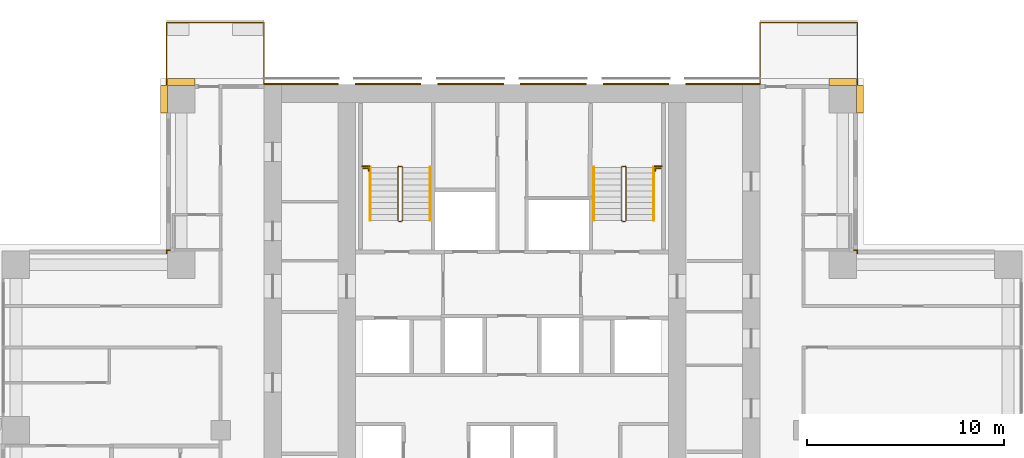
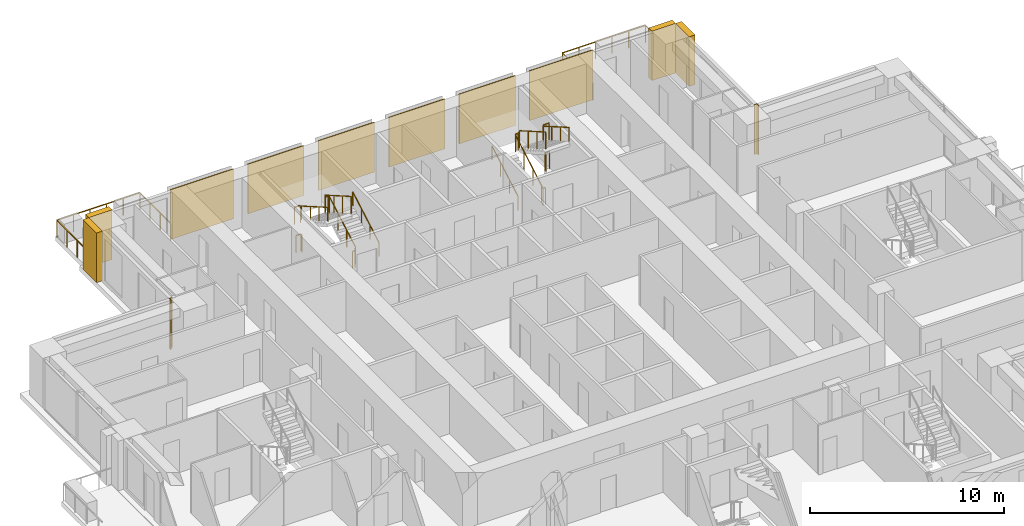
# One storey, part 17 of 17: 12 coverings, 12 railings.
"""IFC4 building model written with IfcOpenShell, lengths in metres."""

from ifc_helpers import new_model, si_unit, direction, frame, origin, origin_2d, place, context, subcontext, project, spatial, polyline, rectangle, outline, extrude, material, type_object, element, save


model = new_model("IFC4")

# Units and contexts
model_context = context("Model", 3, precision=1e-05, world=origin(), true_north=direction((0.0, 1.0)))
body_context = subcontext(model_context, "Body", "Model", "MODEL_VIEW")
ifc_project = project(units=[si_unit("LENGTHUNIT", "METRE"), si_unit("AREAUNIT", "SQUARE_METRE"), si_unit("VOLUMEUNIT", "CUBIC_METRE"), si_unit("PLANEANGLEUNIT", "RADIAN"), si_unit("MASSUNIT", "GRAM", prefix="KILO")], contexts=[model_context])

# Site, building, storey
site_placement = place(None, origin())
site = spatial("IfcSite", under=ifc_project, at=site_placement, CompositionType="ELEMENT")
building_placement = place(site_placement, origin())
building = spatial("IfcBuilding", under=site, at=building_placement, Name="Vermilion Ogive Tower", CompositionType="ELEMENT")
storey_placement = place(building_placement, frame((0.0, 0.0, 51.75)))
storey = spatial("IfcBuildingStorey", under=building, at=storey_placement, Name="L11", CompositionType="ELEMENT", Elevation=51.75)

# Railings
ifc_material_1 = material(Name="Stainless steel and glass", Category="steel")
railing_type_1 = type_object("IfcRailingType", Name="Balcony guard", PredefinedType="GUARDRAIL", material=ifc_material_1)
railing_1_placement = place(storey_placement, frame((17.550048828125, 21.75, -0.0400390625)))
element("IfcRailing", 1, at=railing_1_placement, inside=storey, type_object=railing_type_1, Name="Guard N101", PredefinedType="GUARDRAIL", context=body_context, shape_type="SweptSolid", body=[
    extrude(rectangle(XDim=0.048095703125, YDim=0.048095703125, at=origin_2d()), frame((0.0, 0.0, 1.076171875), z_axis=(0.0, 1.0, 0.0), x_axis=(-1.0, 0.0, 0.0)), (0.0, 0.0, 1.0), 3.159912109375),
    extrude(rectangle(XDim=0.048095703125, YDim=0.048095703125, at=origin_2d()), frame((0.0, 3.159912109375, 1.076171875), z_axis=(-1.0, 0.0, 0.0), x_axis=(0.0, -1.0, 0.0)), (0.0, 0.0, 1.0), 4.949951171875),
    extrude(rectangle(XDim=0.048095703125, YDim=0.048095703125, at=origin_2d()), frame((-4.949951171875, 3.159912109375, 1.076171875), z_axis=(0.0, -1.0, 0.0), x_axis=(1.0, 0.0, 0.0)), (0.0, 0.0, 1.0), 3.159912109375),
    extrude(rectangle(XDim=0.0419921875, YDim=0.0419921875, at=origin_2d()), origin(), (0.0, 0.0, 1.0), 1.052001953125),
    extrude(rectangle(XDim=0.0419921875, YDim=0.0419921875, at=origin_2d()), frame((0.0, 1.05322265625, 0.0)), (0.0, 0.0, 1.0), 1.052001953125),
    extrude(rectangle(XDim=0.0419921875, YDim=0.0419921875, at=origin_2d()), frame((0.0, 2.106689453125, 0.0)), (0.0, 0.0, 1.0), 1.052001953125),
    extrude(rectangle(XDim=0.0419921875, YDim=0.0419921875, at=origin_2d()), frame((0.0, 3.159912109375, 0.0)), (0.0, 0.0, 1.0), 1.052001953125),
    extrude(rectangle(XDim=0.0419921875, YDim=0.0419921875, at=origin_2d()), frame((-0.989990234375, 3.159912109375, 0.0)), (0.0, 0.0, 1.0), 1.052001953125),
    extrude(rectangle(XDim=0.0419921875, YDim=0.0419921875, at=origin_2d()), frame((-1.97998046875, 3.159912109375, 0.0)), (0.0, 0.0, 1.0), 1.052001953125),
    extrude(rectangle(XDim=0.0419921875, YDim=0.0419921875, at=origin_2d()), frame((-2.969970703125, 3.159912109375, 0.0)), (0.0, 0.0, 1.0), 1.052001953125),
    extrude(rectangle(XDim=0.0419921875, YDim=0.0419921875, at=origin_2d()), frame((-3.9599609375, 3.159912109375, 0.0)), (0.0, 0.0, 1.0), 1.052001953125),
    extrude(rectangle(XDim=0.0419921875, YDim=0.0419921875, at=origin_2d()), frame((-4.949951171875, 3.159912109375, 0.0)), (0.0, 0.0, 1.0), 1.052001953125),
    extrude(rectangle(XDim=0.0419921875, YDim=0.0419921875, at=origin_2d()), frame((-4.949951171875, 2.106689453125, 0.0)), (0.0, 0.0, 1.0), 1.052001953125),
    extrude(rectangle(XDim=0.0419921875, YDim=0.0419921875, at=origin_2d()), frame((-4.949951171875, 1.05322265625, 0.0)), (0.0, 0.0, 1.0), 1.052001953125),
    extrude(rectangle(XDim=0.0419921875, YDim=0.0419921875, at=origin_2d()), frame((-4.949951171875, 0.0, 0.0)), (0.0, 0.0, 1.0), 1.052001953125),
])
railing_2_placement = place(storey_placement, frame((-12.60009765625, 21.75, -0.0400390625)))
element("IfcRailing", 2, at=railing_2_placement, inside=storey, type_object=railing_type_1, Name="Guard N201", PredefinedType="GUARDRAIL", context=body_context, shape_type="SweptSolid", body=[
    extrude(rectangle(XDim=0.048095703125, YDim=0.048095703125, at=origin_2d()), frame((0.0, 0.0, 1.076171875), z_axis=(0.0, 1.0, 0.0), x_axis=(-1.0, 0.0, 0.0)), (0.0, 0.0, 1.0), 3.159912109375),
    extrude(rectangle(XDim=0.048095703125, YDim=0.048095703125, at=origin_2d()), frame((0.0, 3.159912109375, 1.076171875), z_axis=(-1.0, 0.0, 0.0), x_axis=(0.0, -1.0, 0.0)), (0.0, 0.0, 1.0), 4.949951171875),
    extrude(rectangle(XDim=0.048095703125, YDim=0.048095703125, at=origin_2d()), frame((-4.949951171875, 3.159912109375, 1.076171875), z_axis=(0.0, -1.0, 0.0), x_axis=(1.0, 0.0, 0.0)), (0.0, 0.0, 1.0), 3.159912109375),
    extrude(rectangle(XDim=0.0419921875, YDim=0.0419921875, at=origin_2d()), origin(), (0.0, 0.0, 1.0), 1.052001953125),
    extrude(rectangle(XDim=0.0419921875, YDim=0.0419921875, at=origin_2d()), frame((0.0, 1.05322265625, 0.0)), (0.0, 0.0, 1.0), 1.052001953125),
    extrude(rectangle(XDim=0.0419921875, YDim=0.0419921875, at=origin_2d()), frame((0.0, 2.106689453125, 0.0)), (0.0, 0.0, 1.0), 1.052001953125),
    extrude(rectangle(XDim=0.0419921875, YDim=0.0419921875, at=origin_2d()), frame((0.0, 3.159912109375, 0.0)), (0.0, 0.0, 1.0), 1.052001953125),
    extrude(rectangle(XDim=0.0419921875, YDim=0.0419921875, at=origin_2d()), frame((-0.989990234375, 3.159912109375, 0.0)), (0.0, 0.0, 1.0), 1.052001953125),
    extrude(rectangle(XDim=0.0419921875, YDim=0.0419921875, at=origin_2d()), frame((-1.97998046875, 3.159912109375, 0.0)), (0.0, 0.0, 1.0), 1.052001953125),
    extrude(rectangle(XDim=0.0419921875, YDim=0.0419921875, at=origin_2d()), frame((-2.969970703125, 3.159912109375, 0.0)), (0.0, 0.0, 1.0), 1.052001953125),
    extrude(rectangle(XDim=0.0419921875, YDim=0.0419921875, at=origin_2d()), frame((-3.9599609375, 3.159912109375, 0.0)), (0.0, 0.0, 1.0), 1.052001953125),
    extrude(rectangle(XDim=0.0419921875, YDim=0.0419921875, at=origin_2d()), frame((-4.949951171875, 3.159912109375, 0.0)), (0.0, 0.0, 1.0), 1.052001953125),
    extrude(rectangle(XDim=0.0419921875, YDim=0.0419921875, at=origin_2d()), frame((-4.949951171875, 2.106689453125, 0.0)), (0.0, 0.0, 1.0), 1.052001953125),
    extrude(rectangle(XDim=0.0419921875, YDim=0.0419921875, at=origin_2d()), frame((-4.949951171875, 1.05322265625, 0.0)), (0.0, 0.0, 1.0), 1.052001953125),
    extrude(rectangle(XDim=0.0419921875, YDim=0.0419921875, at=origin_2d()), frame((-4.949951171875, 0.0, 0.0)), (0.0, 0.0, 1.0), 1.052001953125),
])
ifc_material_2 = material(Name="Steel S355 painted", Category="steel")
railing_type_2 = type_object("IfcRailingType", Name="Stair guard 1100", PredefinedType="GUARDRAIL", material=ifc_material_2)
railing_3_placement = place(storey_placement, frame((-5.75, 14.800048828125, 0.0)))
element("IfcRailing", 3, at=railing_3_placement, inside=storey, type_object=railing_type_2, Name="L11 ST1 stair guard 4", PredefinedType="GUARDRAIL", context=body_context, shape_type="SweptSolid", body=[
    extrude(rectangle(XDim=0.048095703125, YDim=0.048095703125, at=origin_2d()), frame((0.0, 0.0, 1.076171875), z_axis=(1.0, 0.0, 0.0), x_axis=(0.0, 1.0, 0.0)), (0.0, 0.0, 1.0), 0.14990234375),
    extrude(rectangle(XDim=0.048095703125, YDim=0.048095703125, at=origin_2d()), frame((0.14990234375, 0.0, 1.076171875), z_axis=(0.268277960024, 0.268277960024, 0.925231793839), x_axis=(-0.707106781187, 0.707106781187, 0.0)), (0.0, 0.0, 1.0), 0.1865234375),
    extrude(rectangle(XDim=0.048095703125, YDim=0.048095703125, at=origin_2d()), frame((0.199951171875, 0.050048828125, 1.24853515625), z_axis=(0.0, 0.866903762492, 0.498475542607), x_axis=(-1.0, 0.0, 0.0)), (0.0, 0.0, 1.0), 3.114501953125),
    extrude(rectangle(XDim=0.048095703125, YDim=0.048095703125, at=origin_2d()), frame((0.199951171875, 2.75, 2.80126953125), z_axis=(-0.707106781187, 0.707106781187, 0.0), x_axis=(-0.707106781187, -0.707106781187, 0.0)), (0.0, 0.0, 1.0), 0.07080078125),
    extrude(rectangle(XDim=0.048095703125, YDim=0.048095703125, at=origin_2d()), frame((0.14990234375, 2.800048828125, 2.80126953125), z_axis=(-1.0, 0.0, 0.0), x_axis=(0.0, -1.0, 0.0)), (0.0, 0.0, 1.0), 0.14990234375),
    extrude(rectangle(XDim=0.048095703125, YDim=0.048095703125, at=origin_2d()), frame((0.0, 2.800048828125, 2.80126953125), z_axis=(-0.268603158521, -0.268603158521, 0.925043072762), x_axis=(0.707106781187, -0.707106781187, 0.0)), (0.0, 0.0, 1.0), 0.186279296875),
    extrude(rectangle(XDim=0.048095703125, YDim=0.048095703125, at=origin_2d()), frame((-0.050048828125, 2.75, 2.9736328125), z_axis=(0.0, -0.866903762492, 0.498475542607), x_axis=(1.0, 0.0, 0.0)), (0.0, 0.0, 1.0), 3.114501953125),
    extrude(rectangle(XDim=0.0419921875, YDim=0.0419921875, at=origin_2d()), origin(), (0.0, 0.0, 1.0), 1.052001953125),
    extrude(rectangle(XDim=0.0419921875, YDim=0.0419921875, at=origin_2d()), frame((0.14990234375, 0.0, 0.0)), (0.0, 0.0, 1.0), 1.052001953125),
    extrude(rectangle(XDim=0.0419921875, YDim=0.0419921875, at=origin_2d()), frame((0.199951171875, 0.050048828125, 0.172607421875)), (0.0, 0.0, 1.0), 1.052001953125),
    extrude(rectangle(XDim=0.0419921875, YDim=0.0419921875, at=origin_2d()), frame((0.199951171875, 0.949951171875, 0.690185546875)), (0.0, 0.0, 1.0), 1.052001953125),
    extrude(rectangle(XDim=0.0419921875, YDim=0.0419921875, at=origin_2d()), frame((0.199951171875, 1.85009765625, 1.20751953125)), (0.0, 0.0, 1.0), 1.052001953125),
    extrude(rectangle(XDim=0.0419921875, YDim=0.0419921875, at=origin_2d()), frame((0.199951171875, 2.75, 1.72509765625)), (0.0, 0.0, 1.0), 1.052001953125),
    extrude(rectangle(XDim=0.0419921875, YDim=0.0419921875, at=origin_2d()), frame((0.14990234375, 2.800048828125, 1.72509765625)), (0.0, 0.0, 1.0), 1.052001953125),
    extrude(rectangle(XDim=0.0419921875, YDim=0.0419921875, at=origin_2d()), frame((0.0, 2.800048828125, 1.72509765625)), (0.0, 0.0, 1.0), 1.052001953125),
    extrude(rectangle(XDim=0.0419921875, YDim=0.0419921875, at=origin_2d()), frame((-0.050048828125, 2.75, 1.8974609375)), (0.0, 0.0, 1.0), 1.052001953125),
    extrude(rectangle(XDim=0.0419921875, YDim=0.0419921875, at=origin_2d()), frame((-0.050048828125, 1.85009765625, 2.4150390625)), (0.0, 0.0, 1.0), 1.052001953125),
    extrude(rectangle(XDim=0.0419921875, YDim=0.0419921875, at=origin_2d()), frame((-0.050048828125, 0.949951171875, 2.932373046875)), (0.0, 0.0, 1.0), 1.052001953125),
    extrude(rectangle(XDim=0.0419921875, YDim=0.0419921875, at=origin_2d()), frame((-0.050048828125, 0.050048828125, 3.449951171875)), (0.0, 0.0, 1.0), 1.052001953125),
])
railing_4_placement = place(storey_placement, frame((5.75, 14.800048828125, 0.0)))
element("IfcRailing", 4, at=railing_4_placement, inside=storey, type_object=railing_type_2, Name="L11 ST2 stair guard 4", PredefinedType="GUARDRAIL", context=body_context, shape_type="SweptSolid", body=[
    extrude(rectangle(XDim=0.048095703125, YDim=0.048095703125, at=origin_2d()), frame((0.0, 0.0, 1.076171875), z_axis=(-1.0, 0.0, 0.0), x_axis=(0.0, -1.0, 0.0)), (0.0, 0.0, 1.0), 0.14990234375),
    extrude(rectangle(XDim=0.048095703125, YDim=0.048095703125, at=origin_2d()), frame((-0.14990234375, 0.0, 1.076171875), z_axis=(-0.268277960024, 0.268277960024, 0.925231793839), x_axis=(-0.707106781187, -0.707106781187, 0.0)), (0.0, 0.0, 1.0), 0.1865234375),
    extrude(rectangle(XDim=0.048095703125, YDim=0.048095703125, at=origin_2d()), frame((-0.199951171875, 0.050048828125, 1.24853515625), z_axis=(0.0, 0.866903762492, 0.498475542607), x_axis=(-1.0, 0.0, 0.0)), (0.0, 0.0, 1.0), 3.114501953125),
    extrude(rectangle(XDim=0.048095703125, YDim=0.048095703125, at=origin_2d()), frame((-0.199951171875, 2.75, 2.80126953125), z_axis=(0.707106781187, 0.707106781187, 0.0), x_axis=(-0.707106781187, 0.707106781187, 0.0)), (0.0, 0.0, 1.0), 0.07080078125),
    extrude(rectangle(XDim=0.048095703125, YDim=0.048095703125, at=origin_2d()), frame((-0.14990234375, 2.800048828125, 2.80126953125), z_axis=(1.0, 0.0, 0.0), x_axis=(0.0, 1.0, 0.0)), (0.0, 0.0, 1.0), 0.14990234375),
    extrude(rectangle(XDim=0.048095703125, YDim=0.048095703125, at=origin_2d()), frame((0.0, 2.800048828125, 2.80126953125), z_axis=(0.268603158521, -0.268603158521, 0.925043072762), x_axis=(0.707106781187, 0.707106781187, 0.0)), (0.0, 0.0, 1.0), 0.186279296875),
    extrude(rectangle(XDim=0.048095703125, YDim=0.048095703125, at=origin_2d()), frame((0.050048828125, 2.75, 2.9736328125), z_axis=(0.0, -0.866903762492, 0.498475542607), x_axis=(1.0, 0.0, 0.0)), (0.0, 0.0, 1.0), 3.114501953125),
    extrude(rectangle(XDim=0.0419921875, YDim=0.0419921875, at=origin_2d()), origin(), (0.0, 0.0, 1.0), 1.052001953125),
    extrude(rectangle(XDim=0.0419921875, YDim=0.0419921875, at=origin_2d()), frame((-0.14990234375, 0.0, 0.0)), (0.0, 0.0, 1.0), 1.052001953125),
    extrude(rectangle(XDim=0.0419921875, YDim=0.0419921875, at=origin_2d()), frame((-0.199951171875, 0.050048828125, 0.172607421875)), (0.0, 0.0, 1.0), 1.052001953125),
    extrude(rectangle(XDim=0.0419921875, YDim=0.0419921875, at=origin_2d()), frame((-0.199951171875, 0.949951171875, 0.690185546875)), (0.0, 0.0, 1.0), 1.052001953125),
    extrude(rectangle(XDim=0.0419921875, YDim=0.0419921875, at=origin_2d()), frame((-0.199951171875, 1.85009765625, 1.20751953125)), (0.0, 0.0, 1.0), 1.052001953125),
    extrude(rectangle(XDim=0.0419921875, YDim=0.0419921875, at=origin_2d()), frame((-0.199951171875, 2.75, 1.72509765625)), (0.0, 0.0, 1.0), 1.052001953125),
    extrude(rectangle(XDim=0.0419921875, YDim=0.0419921875, at=origin_2d()), frame((-0.14990234375, 2.800048828125, 1.72509765625)), (0.0, 0.0, 1.0), 1.052001953125),
    extrude(rectangle(XDim=0.0419921875, YDim=0.0419921875, at=origin_2d()), frame((0.0, 2.800048828125, 1.72509765625)), (0.0, 0.0, 1.0), 1.052001953125),
    extrude(rectangle(XDim=0.0419921875, YDim=0.0419921875, at=origin_2d()), frame((0.050048828125, 2.75, 1.8974609375)), (0.0, 0.0, 1.0), 1.052001953125),
    extrude(rectangle(XDim=0.0419921875, YDim=0.0419921875, at=origin_2d()), frame((0.050048828125, 1.85009765625, 2.4150390625)), (0.0, 0.0, 1.0), 1.052001953125),
    extrude(rectangle(XDim=0.0419921875, YDim=0.0419921875, at=origin_2d()), frame((0.050048828125, 0.949951171875, 2.932373046875)), (0.0, 0.0, 1.0), 1.052001953125),
    extrude(rectangle(XDim=0.0419921875, YDim=0.0419921875, at=origin_2d()), frame((0.050048828125, 0.050048828125, 3.449951171875)), (0.0, 0.0, 1.0), 1.052001953125),
])
for number, where, name in (
    (5, (-7.60009765625, 17.60009765625, 1.72509765625), "L11 landing guard"),
    (6, (7.25, 17.60009765625, 1.72509765625), "L11 landing guard"),
):
    element("IfcRailing", number, at=place(storey_placement, frame(where)), inside=storey, type_object=railing_type_2, Name=name, PredefinedType="GUARDRAIL", context=body_context, shape_type="SweptSolid", body=[
        extrude(rectangle(XDim=0.048095703125, YDim=0.048095703125, at=origin_2d()), frame((0.0, 0.0, 1.076171875), z_axis=(1.0, 0.0, 0.0), x_axis=(0.0, 1.0, 0.0)), (0.0, 0.0, 1.0), 0.35009765625),
        extrude(rectangle(XDim=0.0419921875, YDim=0.0419921875, at=origin_2d()), origin(), (0.0, 0.0, 1.0), 1.052001953125),
        extrude(rectangle(XDim=0.0419921875, YDim=0.0419921875, at=origin_2d()), frame((0.35009765625, 0.0, 0.0)), (0.0, 0.0, 1.0), 1.052001953125),
    ])
railing_5_placement = place(storey_placement, frame((-7.56298828125, 17.49462890625, 0.0)))
element("IfcRailing", 7, at=railing_5_placement, inside=storey, type_object=railing_type_2, Name="L11 stair opening guard", PredefinedType="GUARDRAIL", context=body_context, shape_type="SweptSolid", body=[
    extrude(rectangle(XDim=0.048095703125, YDim=0.048095703125, at=origin_2d()), frame((0.0, 0.0, 1.076171875), z_axis=(1.0, 0.0, 0.0), x_axis=(0.0, 1.0, 0.0)), (0.0, 0.0, 1.0), 0.2900390625),
    extrude(rectangle(XDim=0.048095703125, YDim=0.048095703125, at=origin_2d()), frame((0.2900390625, 0.0, 1.076171875), z_axis=(0.0, -1.0, 0.0), x_axis=(1.0, 0.0, 0.0)), (0.0, 0.0, 1.0), 0.1201171875),
    extrude(rectangle(XDim=0.0419921875, YDim=0.0419921875, at=origin_2d()), origin(), (0.0, 0.0, 1.0), 1.052001953125),
    extrude(rectangle(XDim=0.0419921875, YDim=0.0419921875, at=origin_2d()), frame((0.2900390625, 0.0, 0.0)), (0.0, 0.0, 1.0), 1.052001953125),
    extrude(rectangle(XDim=0.0419921875, YDim=0.0419921875, at=origin_2d()), frame((0.2900390625, -0.1201171875, 0.0)), (0.0, 0.0, 1.0), 1.052001953125),
])
railing_6_placement = place(storey_placement, frame((7.27294921875, 17.37451171875, 0.0)))
element("IfcRailing", 8, at=railing_6_placement, inside=storey, type_object=railing_type_2, Name="L11 stair opening guard", PredefinedType="GUARDRAIL", context=body_context, shape_type="SweptSolid", body=[
    extrude(rectangle(XDim=0.048095703125, YDim=0.048095703125, at=origin_2d()), frame((0.0, 0.0, 1.076171875), z_axis=(0.0, 1.0, 0.0), x_axis=(-1.0, 0.0, 0.0)), (0.0, 0.0, 1.0), 0.1201171875),
    extrude(rectangle(XDim=0.048095703125, YDim=0.048095703125, at=origin_2d()), frame((0.0, 0.1201171875, 1.076171875), z_axis=(1.0, 0.0, 0.0), x_axis=(0.0, 1.0, 0.0)), (0.0, 0.0, 1.0), 0.2900390625),
    extrude(rectangle(XDim=0.0419921875, YDim=0.0419921875, at=origin_2d()), origin(), (0.0, 0.0, 1.0), 1.052001953125),
    extrude(rectangle(XDim=0.0419921875, YDim=0.0419921875, at=origin_2d()), frame((0.0, 0.1201171875, 0.0)), (0.0, 0.0, 1.0), 1.052001953125),
    extrude(rectangle(XDim=0.0419921875, YDim=0.0419921875, at=origin_2d()), frame((0.2900390625, 0.1201171875, 0.0)), (0.0, 0.0, 1.0), 1.052001953125),
])
ifc_material_3 = material(Name="Stainless steel", Category="steel")
railing_type_3 = type_object("IfcRailingType", Name="Stair handrail 900", PredefinedType="HANDRAIL", material=ifc_material_3)
railing_7_placement = place(storey_placement, frame((-4.14990234375, 14.85009765625, 0.172607421875)))
element("IfcRailing", 9, at=railing_7_placement, inside=storey, type_object=railing_type_3, Name="L11 ST1 stair handrail 1", PredefinedType="HANDRAIL", context=body_context, shape_type="SweptSolid", body=[
    extrude(rectangle(XDim=0.048095703125, YDim=0.048095703125, at=origin_2d()), frame((0.0, 0.0, 0.8759765625), z_axis=(0.0, 0.866903762492, 0.498475542607), x_axis=(-1.0, 0.0, 0.0)), (0.0, 0.0, 1.0), 3.114501953125),
    extrude(rectangle(XDim=0.0419921875, YDim=0.0419921875, at=origin_2d()), origin(), (0.0, 0.0, 1.0), 0.851806640625),
    extrude(rectangle(XDim=0.0419921875, YDim=0.0419921875, at=origin_2d()), frame((0.0, 0.89990234375, 0.517578125)), (0.0, 0.0, 1.0), 0.851806640625),
    extrude(rectangle(XDim=0.0419921875, YDim=0.0419921875, at=origin_2d()), frame((0.0, 1.800048828125, 1.034912109375)), (0.0, 0.0, 1.0), 0.851806640625),
    extrude(rectangle(XDim=0.0419921875, YDim=0.0419921875, at=origin_2d()), frame((0.0, 2.699951171875, 1.552490234375)), (0.0, 0.0, 1.0), 0.851806640625),
])
railing_8_placement = place(storey_placement, frame((-7.199951171875, 17.550048828125, 1.8974609375)))
element("IfcRailing", 10, at=railing_8_placement, inside=storey, type_object=railing_type_3, Name="L11 ST1 stair handrail 2", PredefinedType="HANDRAIL", context=body_context, shape_type="SweptSolid", body=[
    extrude(rectangle(XDim=0.048095703125, YDim=0.048095703125, at=origin_2d()), frame((0.0, 0.0, 0.8759765625), z_axis=(0.0, -0.866903762492, 0.498475542607), x_axis=(1.0, 0.0, 0.0)), (0.0, 0.0, 1.0), 3.114501953125),
    extrude(rectangle(XDim=0.0419921875, YDim=0.0419921875, at=origin_2d()), origin(), (0.0, 0.0, 1.0), 0.851806640625),
    extrude(rectangle(XDim=0.0419921875, YDim=0.0419921875, at=origin_2d()), frame((0.0, -0.89990234375, 0.517578125)), (0.0, 0.0, 1.0), 0.851806640625),
    extrude(rectangle(XDim=0.0419921875, YDim=0.0419921875, at=origin_2d()), frame((0.0, -1.800048828125, 1.034912109375)), (0.0, 0.0, 1.0), 0.851806640625),
    extrude(rectangle(XDim=0.0419921875, YDim=0.0419921875, at=origin_2d()), frame((0.0, -2.699951171875, 1.552490234375)), (0.0, 0.0, 1.0), 0.851806640625),
])
railing_9_placement = place(storey_placement, frame((4.14990234375, 14.85009765625, 0.172607421875)))
element("IfcRailing", 11, at=railing_9_placement, inside=storey, type_object=railing_type_3, Name="L11 ST2 stair handrail 1", PredefinedType="HANDRAIL", context=body_context, shape_type="SweptSolid", body=[
    extrude(rectangle(XDim=0.048095703125, YDim=0.048095703125, at=origin_2d()), frame((0.0, 0.0, 0.8759765625), z_axis=(0.0, 0.866903762492, 0.498475542607), x_axis=(-1.0, 0.0, 0.0)), (0.0, 0.0, 1.0), 3.114501953125),
    extrude(rectangle(XDim=0.0419921875, YDim=0.0419921875, at=origin_2d()), origin(), (0.0, 0.0, 1.0), 0.851806640625),
    extrude(rectangle(XDim=0.0419921875, YDim=0.0419921875, at=origin_2d()), frame((0.0, 0.89990234375, 0.517578125)), (0.0, 0.0, 1.0), 0.851806640625),
    extrude(rectangle(XDim=0.0419921875, YDim=0.0419921875, at=origin_2d()), frame((0.0, 1.800048828125, 1.034912109375)), (0.0, 0.0, 1.0), 0.851806640625),
    extrude(rectangle(XDim=0.0419921875, YDim=0.0419921875, at=origin_2d()), frame((0.0, 2.699951171875, 1.552490234375)), (0.0, 0.0, 1.0), 0.851806640625),
])
railing_10_placement = place(storey_placement, frame((7.199951171875, 17.550048828125, 1.8974609375)))
element("IfcRailing", 12, at=railing_10_placement, inside=storey, type_object=railing_type_3, Name="L11 ST2 stair handrail 2", PredefinedType="HANDRAIL", context=body_context, shape_type="SweptSolid", body=[
    extrude(rectangle(XDim=0.048095703125, YDim=0.048095703125, at=origin_2d()), frame((0.0, 0.0, 0.8759765625), z_axis=(0.0, -0.866903762492, 0.498475542607), x_axis=(1.0, 0.0, 0.0)), (0.0, 0.0, 1.0), 3.114501953125),
    extrude(rectangle(XDim=0.0419921875, YDim=0.0419921875, at=origin_2d()), origin(), (0.0, 0.0, 1.0), 0.851806640625),
    extrude(rectangle(XDim=0.0419921875, YDim=0.0419921875, at=origin_2d()), frame((0.0, -0.89990234375, 0.517578125)), (0.0, 0.0, 1.0), 0.851806640625),
    extrude(rectangle(XDim=0.0419921875, YDim=0.0419921875, at=origin_2d()), frame((0.0, -1.800048828125, 1.034912109375)), (0.0, 0.0, 1.0), 0.851806640625),
    extrude(rectangle(XDim=0.0419921875, YDim=0.0419921875, at=origin_2d()), frame((0.0, -2.699951171875, 1.552490234375)), (0.0, 0.0, 1.0), 0.851806640625),
])

# Coverings
ifc_material_4 = material(Name="Stone cladding", Category="masonry")
covering_type_1 = type_object("IfcCoveringType", Name="Stone cladding panel", PredefinedType="CLADDING", material=ifc_material_4)
covering_1_placement = place(storey_placement, origin())
element("IfcCovering", 13, at=covering_1_placement, inside=storey, type_object=covering_type_1, Name="Stone cladding panel N1", PredefinedType="CLADDING", context=body_context, shape_type="SweptSolid", body=[
    extrude(outline(polyline([(-12.590087890625, 21.75), (-8.830078125, 21.75), (-8.830078125, 21.81005859375), (-12.590087890625, 21.81005859375), (-12.590087890625, 21.75)])), origin(), (0.0, 0.0, 1.0), 3.1298828125),
])
covering_2_placement = place(storey_placement, origin())
element("IfcCovering", 14, at=covering_2_placement, inside=storey, type_object=covering_type_1, Name="Stone cladding panel N2", PredefinedType="CLADDING", context=body_context, shape_type="SweptSolid", body=[
    extrude(outline(polyline([(-7.969970703125, 21.75), (-4.6298828125, 21.75), (-4.6298828125, 21.81005859375), (-7.969970703125, 21.81005859375), (-7.969970703125, 21.75)])), origin(), (0.0, 0.0, 1.0), 3.1298828125),
])
covering_3_placement = place(storey_placement, origin())
element("IfcCovering", 15, at=covering_3_placement, inside=storey, type_object=covering_type_1, Name="Stone cladding panel N3", PredefinedType="CLADDING", context=body_context, shape_type="SweptSolid", body=[
    extrude(outline(polyline([(-3.77001953125, 21.75), (-0.429931640625, 21.75), (-0.429931640625, 21.81005859375), (-3.77001953125, 21.81005859375), (-3.77001953125, 21.75)])), origin(), (0.0, 0.0, 1.0), 3.1298828125),
])
covering_4_placement = place(storey_placement, origin())
element("IfcCovering", 16, at=covering_4_placement, inside=storey, type_object=covering_type_1, Name="Stone cladding panel N4", PredefinedType="CLADDING", context=body_context, shape_type="SweptSolid", body=[
    extrude(outline(polyline([(0.429931640625, 21.75), (3.77001953125, 21.75), (3.77001953125, 21.81005859375), (0.429931640625, 21.81005859375), (0.429931640625, 21.75)])), origin(), (0.0, 0.0, 1.0), 3.1298828125),
])
covering_5_placement = place(storey_placement, origin())
element("IfcCovering", 17, at=covering_5_placement, inside=storey, type_object=covering_type_1, Name="Stone cladding panel N5", PredefinedType="CLADDING", context=body_context, shape_type="SweptSolid", body=[
    extrude(outline(polyline([(4.6298828125, 21.75), (7.969970703125, 21.75), (7.969970703125, 21.81005859375), (4.6298828125, 21.81005859375), (4.6298828125, 21.75)])), origin(), (0.0, 0.0, 1.0), 3.1298828125),
])
covering_6_placement = place(storey_placement, origin())
element("IfcCovering", 18, at=covering_6_placement, inside=storey, type_object=covering_type_1, Name="Stone cladding panel N6", PredefinedType="CLADDING", context=body_context, shape_type="SweptSolid", body=[
    extrude(outline(polyline([(8.830078125, 21.75), (12.590087890625, 21.75), (12.590087890625, 21.81005859375), (8.830078125, 21.81005859375), (8.830078125, 21.75)])), origin(), (0.0, 0.0, 1.0), 3.1298828125),
])
ifc_material_5 = material(Name="Stone cladding", Category="masonry")
covering_type_2 = type_object("IfcCoveringType", Name="Stone pier", PredefinedType="CLADDING", material=ifc_material_5)
covering_7_placement = place(storey_placement, origin())
element("IfcCovering", 19, at=covering_7_placement, inside=storey, type_object=covering_type_2, Name="Stone corner pier X3E1", PredefinedType="CLADDING", context=body_context, shape_type="SweptSolid", body=[
    extrude(outline(polyline([(17.5, 13.14990234375), (17.5, 13.300048828125), (17.35009765625, 13.300048828125), (17.35009765625, 13.35009765625), (17.550048828125, 13.35009765625), (17.550048828125, 13.14990234375), (17.5, 13.14990234375)])), origin(), (0.0, 0.0, 1.0), 3.1298828125),
])
covering_8_placement = place(storey_placement, origin())
element("IfcCovering", 20, at=covering_8_placement, inside=storey, type_object=covering_type_2, Name="Stone corner pier X5E1", PredefinedType="CLADDING", context=body_context, shape_type="SweptSolid", body=[
    extrude(outline(polyline([(-17.35009765625, 13.300048828125), (-17.5, 13.300048828125), (-17.5, 13.14990234375), (-17.550048828125, 13.14990234375), (-17.550048828125, 13.35009765625), (-17.35009765625, 13.35009765625), (-17.35009765625, 13.300048828125)])), origin(), (0.0, 0.0, 1.0), 3.1298828125),
])
covering_9_placement = place(storey_placement, origin())
element("IfcCovering", 21, at=covering_9_placement, inside=storey, type_object=covering_type_2, Name="Stone pier P+0168+210X4", PredefinedType="CLADDING", context=body_context, shape_type="SweptSolid", body=[
    extrude(outline(polyline([(17.85009765625, 21.699951171875), (17.85009765625, 20.300048828125), (17.5, 20.300048828125), (17.5, 21.699951171875), (17.85009765625, 21.699951171875)])), origin(), (0.0, 0.0, 1.0), 3.1298828125),
])
covering_10_placement = place(storey_placement, origin())
element("IfcCovering", 22, at=covering_10_placement, inside=storey, type_object=covering_type_2, Name="Stone pier P+0168+210N1", PredefinedType="CLADDING", context=body_context, shape_type="SweptSolid", body=[
    extrude(outline(polyline([(17.5, 22.050048828125), (17.5, 21.699951171875), (16.10009765625, 21.699951171875), (16.10009765625, 22.050048828125), (17.5, 22.050048828125)])), origin(), (0.0, 0.0, 1.0), 3.1298828125),
])
covering_11_placement = place(storey_placement, origin())
element("IfcCovering", 23, at=covering_11_placement, inside=storey, type_object=covering_type_2, Name="Stone pier P-0168+210N2", PredefinedType="CLADDING", context=body_context, shape_type="SweptSolid", body=[
    extrude(outline(polyline([(-17.5, 21.699951171875), (-17.5, 22.050048828125), (-16.10009765625, 22.050048828125), (-16.10009765625, 21.699951171875), (-17.5, 21.699951171875), (-17.5, 21.699951171875)])), origin(), (0.0, 0.0, 1.0), 3.1298828125),
])
covering_12_placement = place(storey_placement, origin())
element("IfcCovering", 24, at=covering_12_placement, inside=storey, type_object=covering_type_2, Name="Stone pier P-0168+210X5", PredefinedType="CLADDING", context=body_context, shape_type="SweptSolid", body=[
    extrude(outline(polyline([(-17.85009765625, 21.699951171875), (-17.5, 21.699951171875), (-17.5, 21.699951171875), (-17.5, 20.300048828125), (-17.85009765625, 20.300048828125), (-17.85009765625, 21.699951171875)])), origin(), (0.0, 0.0, 1.0), 3.1298828125),
])

save(model, "model.ifc")
